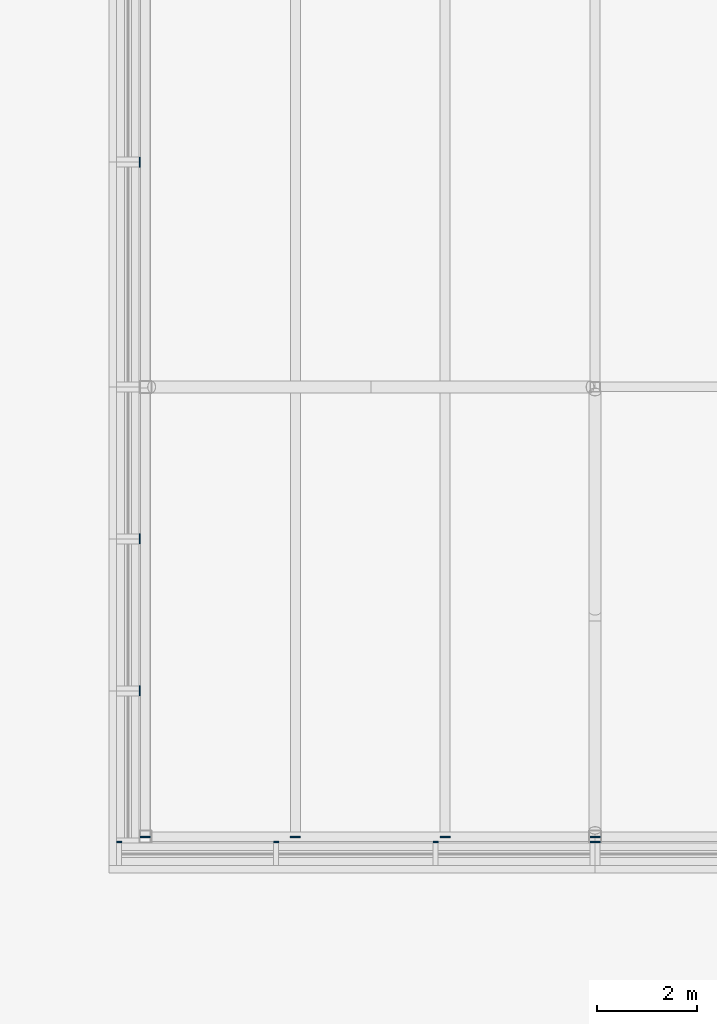
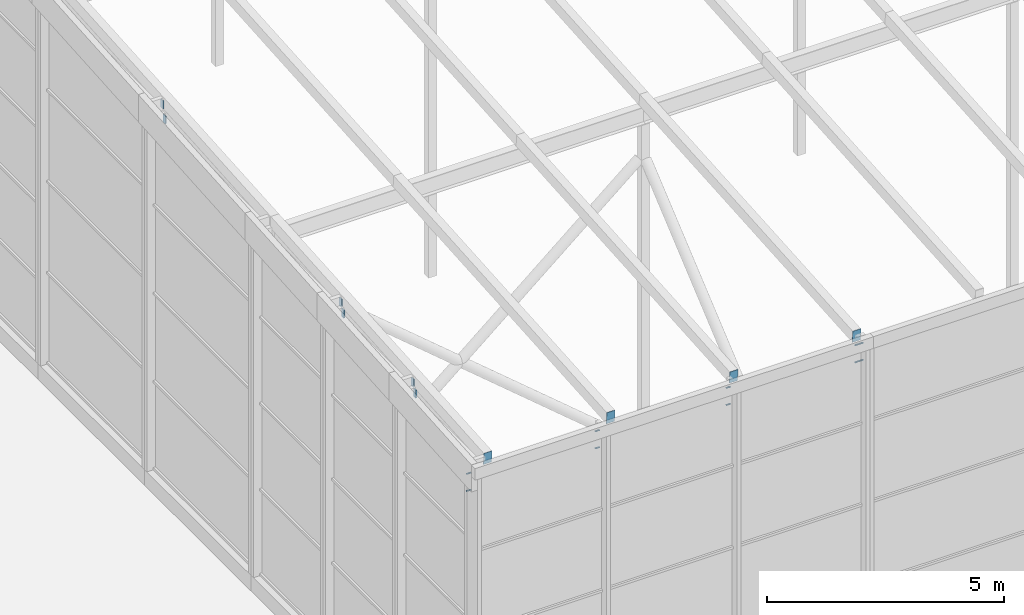
# One storey, part 59 of 84: 20 discrete accessories.
"""IFC4 building model written with IfcOpenShell, lengths in metres."""

from ifc_helpers import new_model, si_unit, direction, frame, origin, origin_2d, place, context, subcontext, project, spatial, rectangle, extrude, material, layer, layer_set, type_object, element, save


model = new_model("IFC4")

# Units and contexts
model_context = context("Model", 3, precision=1e-05, world=origin(), true_north=direction((0.0, 1.0)))
body_context = subcontext(model_context, "Body", "Model", "MODEL_VIEW")
ifc_project = project(units=[si_unit("LENGTHUNIT", "METRE"), si_unit("AREAUNIT", "SQUARE_METRE"), si_unit("VOLUMEUNIT", "CUBIC_METRE"), si_unit("PLANEANGLEUNIT", "RADIAN"), si_unit("MASSUNIT", "GRAM", prefix="KILO")], contexts=[model_context])

# Site, building, storey
site_placement = place(None, origin())
site = spatial("IfcSite", under=ifc_project, at=site_placement, CompositionType="ELEMENT")
building_placement = place(site_placement, origin())
building = spatial("IfcBuilding", under=site, at=building_placement, Name="Silverbay Arena", CompositionType="ELEMENT")
storey_placement = place(building_placement, frame((0.0, 0.0, 47.10009765625)))
storey = spatial("IfcBuildingStorey", under=building, at=storey_placement, Name="ROOF", CompositionType="ELEMENT", Elevation=47.10009765625)

# Discrete accessories
ifc_material_1 = material(Name="Steel S355", Category="steel")
ifc_layer = layer(ifc_material_1, 0.011962890625)
ifc_layer_set = layer_set([ifc_layer], Name="Steel S355")
discrete_accessory_type_1 = type_object("IfcDiscreteAccessoryType", Name="Purlin end plate 12", PredefinedType="USERDEFINED", material=ifc_layer_set)
for number, where, z_axis, x_axis, name in (
    (1, (81.0, 27.0, 8.74951171875), (0.0, -0.996684615823, -0.081362009455), (1.0, 0.0, 0.0), "Purlin end plate"),
    (2, (84.0, 27.0, 8.74951171875), (0.0, -0.996684615823, -0.081362009455), (1.0, 0.0, 0.0), "Purlin end plate"),
    (3, (87.0, 27.0, 8.74951171875), (0.0, -0.996684615823, -0.081362009455), (1.0, 0.0, 0.0), "Purlin end plate"),
    (4, (90.0, 27.0, 8.74951171875), (0.0, -0.996684615823, -0.081362009455), (1.0, 0.0, 0.0), "Purlin end plate"),
):
    element("IfcDiscreteAccessory", number, at=place(storey_placement, frame(where, z_axis=z_axis, x_axis=x_axis)), inside=storey, type_object=discrete_accessory_type_1, Name=name, ObjectType="END PLATE", PredefinedType="USERDEFINED", context=body_context, shape_type="SweptSolid", body=[
        extrude(rectangle(XDim=0.199951171875, YDim=0.300048828125, at=origin_2d()), origin(), (0.0, 0.0, 1.0), 0.011962890625),
    ])
ifc_material_2 = material(Name="Steel S355", Category="steel")
discrete_accessory_type_2 = type_object("IfcDiscreteAccessoryType", Name="Steel bracket plate", PredefinedType="BRACKET", material=ifc_material_2)
for number, where, z_axis, x_axis, name in (
    (5, (80.47509765625, 26.89013671875, 8.58642578125), (0.0, 0.0, 1.0), (1.0, 0.0, 0.0), "Curtain wall packing plate"),
    (6, (80.47509765625, 26.89013671875, 8.145751953125), (0.0, 0.0, 1.0), (1.0, 0.0, 0.0), "Curtain wall packing plate"),
    (7, (83.61669921875, 26.89013671875, 8.58642578125), (0.0, 0.0, 1.0), (1.0, 0.0, 0.0), "Curtain wall packing plate"),
    (8, (83.61669921875, 26.89013671875, 8.145751953125), (0.0, 0.0, 1.0), (1.0, 0.0, 0.0), "Curtain wall packing plate"),
    (9, (86.808349609375, 26.89013671875, 8.58642578125), (0.0, 0.0, 1.0), (1.0, 0.0, 0.0), "Curtain wall packing plate"),
    (10, (86.808349609375, 26.89013671875, 8.145751953125), (0.0, 0.0, 1.0), (1.0, 0.0, 0.0), "Curtain wall packing plate"),
    (11, (89.949951171875, 26.89013671875, 8.58642578125), (0.0, 0.0, 1.0), (1.0, 0.0, 0.0), "Curtain wall packing plate"),
    (12, (89.949951171875, 26.89013671875, 8.145751953125), (0.0, 0.0, 1.0), (1.0, 0.0, 0.0), "Curtain wall packing plate"),
    (13, (90.050048828125, 26.89013671875, 8.58642578125), (0.0, 0.0, 1.0), (1.0, 0.0, 0.0), "Curtain wall packing plate"),
    (14, (90.050048828125, 26.89013671875, 8.145751953125), (0.0, 0.0, 1.0), (1.0, 0.0, 0.0), "Curtain wall packing plate"),
):
    element("IfcDiscreteAccessory", number, at=place(storey_placement, frame(where, z_axis=z_axis, x_axis=x_axis)), inside=storey, type_object=discrete_accessory_type_2, Name=name, PredefinedType="BRACKET", context=body_context, shape_type="SweptSolid", body=[
        extrude(rectangle(XDim=0.10009765625, YDim=0.030029296875, at=origin_2d()), origin(), (0.0, 0.0, 1.0), 0.0126953125),
    ])
for number, where, z_axis, x_axis, name in (
    (15, (80.887451171875, 29.86669921875, 8.61083984375), (0.0, 0.0, 1.0), (1.0, 0.0, 0.0), "Curtain wall packing plate"),
    (16, (80.887451171875, 29.966552734375, 8.83056640625), (0.0, 0.0, 1.0), (1.0, 0.0, 0.0), "Curtain wall packing plate"),
    (17, (80.887451171875, 32.908447265625, 8.83056640625), (0.0, 0.0, 1.0), (1.0, 0.0, 0.0), "Curtain wall packing plate"),
    (18, (80.887451171875, 33.00830078125, 9.05029296875), (0.0, 0.0, 1.0), (1.0, 0.0, 0.0), "Curtain wall packing plate"),
    (19, (80.887451171875, 40.449951171875, 9.27001953125), (0.0, 0.0, 1.0), (1.0, 0.0, 0.0), "Curtain wall packing plate"),
    (20, (80.887451171875, 40.550048828125, 9.5947265625), (0.0, 0.0, 1.0), (1.0, 0.0, 0.0), "Curtain wall packing plate"),
):
    element("IfcDiscreteAccessory", number, at=place(storey_placement, frame(where, z_axis=z_axis, x_axis=x_axis)), inside=storey, type_object=discrete_accessory_type_2, Name=name, PredefinedType="BRACKET", context=body_context, shape_type="SweptSolid", body=[
        extrude(rectangle(XDim=0.02490234375, YDim=0.10009765625, at=origin_2d()), origin(), (0.0, 0.0, 1.0), 0.199951171875),
    ])

save(model, "model.ifc")
